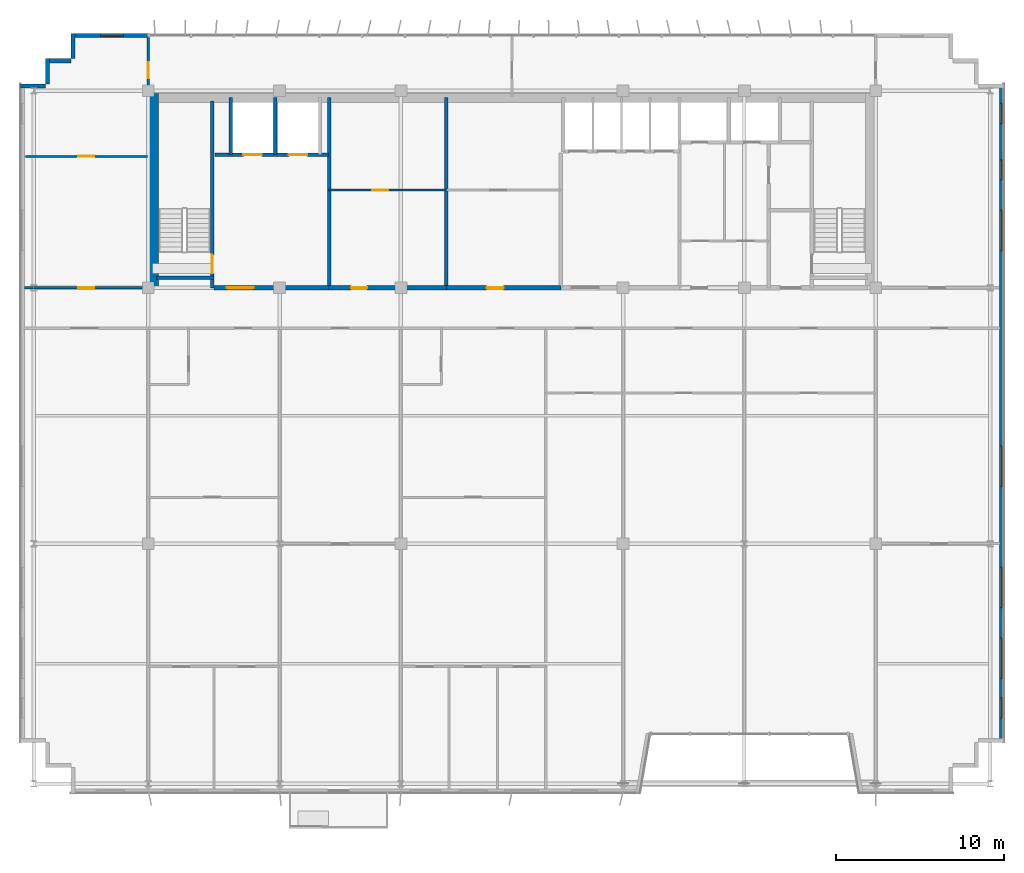
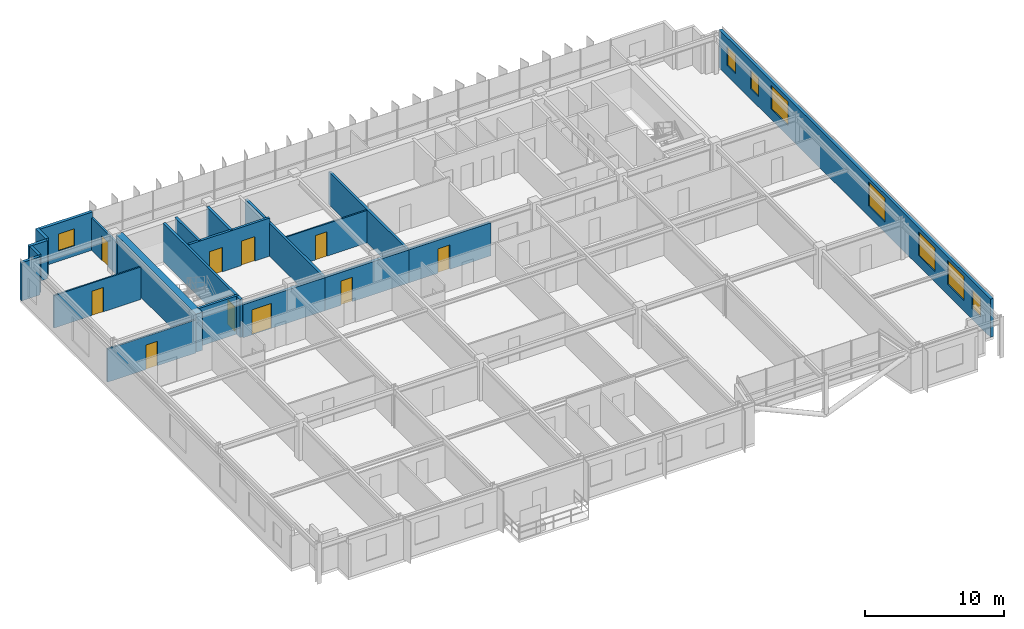
# One storey, part 23 of 27: 21 walls, 10 doors, 8 windows, 18 openings.
"""IFC4 building model written with IfcOpenShell, lengths in metres."""

from ifc_helpers import new_model, si_unit, direction, frame, frame_2d, origin, place, context, subcontext, project, spatial, rectangle, extrude, source, transform, mapped, material, layer, layer_set, type_object, element, fill, save


model = new_model("IFC4")

# Units and contexts
model_context = context("Model", 3, precision=1e-05, world=origin(), true_north=direction((0.0, 1.0)))
body_context = subcontext(model_context, "Body", "Model", "MODEL_VIEW")
ifc_project = project(units=[si_unit("LENGTHUNIT", "METRE"), si_unit("AREAUNIT", "SQUARE_METRE"), si_unit("VOLUMEUNIT", "CUBIC_METRE"), si_unit("PLANEANGLEUNIT", "RADIAN"), si_unit("MASSUNIT", "GRAM", prefix="KILO")], contexts=[model_context])

# Site, building, storey
site_placement = place(None, origin())
site = spatial("IfcSite", under=ifc_project, at=site_placement, CompositionType="ELEMENT")
building_placement = place(site_placement, origin())
building = spatial("IfcBuilding", under=site, at=building_placement, Name="Trelvane Seafront Commons", CompositionType="ELEMENT")
storey_placement = place(building_placement, frame((0.0, 0.0, 233.699951171875)))
storey = spatial("IfcBuildingStorey", under=building, at=storey_placement, Name="L61", CompositionType="ELEMENT", Elevation=233.699951171875)

# Wall, opening, window
ifc_material_1 = material(Name="Precast concrete C40/50", Category="concrete")
ifc_layer_1 = layer(ifc_material_1, 0.239990234375, Name="ARCH-WALL-EXT240")
ifc_layer_set_1 = layer_set([ifc_layer_1], Name="Precast concrete C40/50")
wall_type_1 = type_object("IfcWallType", Name="ARCH-WALL-EXT240", PredefinedType="SOLIDWALL", material=ifc_layer_set_1)
wall_1_placement = place(storey_placement, frame((11.10009765625, 48.3701171875, 0.0), z_axis=(0.0, 0.0, 1.0), x_axis=(1.0, 0.0, 0.0)))
wall_1 = element("IfcWall", 1, at=wall_1_placement, inside=storey, type_object=wall_type_1, Name="EW-L61-NW-1229", PredefinedType="SOLIDWALL", context=body_context, shape_type="SweptSolid", body=[
    extrude(rectangle(XDim=4.5, YDim=0.239990234375, at=frame_2d((2.25, 0.0))), origin(), (0.0, 0.0, 1.0), 3.360107421875),
])
opening_1_placement = place(wall_1_placement, frame((1.6669921875, 0.0, 0.89990234375)))
opening_1 = element("IfcOpeningElement", 2, at=opening_1_placement, cuts=wall_1, Name="Opening W09", PredefinedType="OPENING", context=body_context, shape_type="SweptSolid", body=[
    extrude(rectangle(XDim=1.35009765625, YDim=1.5, at=frame_2d((0.675048828125, 0.75))), frame((0.0, 0.1298828125, 0.0), z_axis=(0.0, -1.0, 0.0), x_axis=(1.0, 0.0, 0.0)), (0.0, 0.0, 1.0), 0.260009765625),
])
ifc_material_2 = material(Name="Low-E coastal double glazing", Category="glass")
window_type_1 = type_object("IfcWindowType", Name="ARCH-WIN-W09", PartitioningType="SINGLE_PANEL", PredefinedType="WINDOW", material=ifc_material_2)
shared_shape_1 = source(origin(), body_context, "Body", "SweptSolid", [
    extrude(rectangle(XDim=1.35009765625, YDim=1.5, at=frame_2d((0.675048828125, 0.75))), frame((0.0, 0.030029296875, 0.0), z_axis=(0.0, -1.0, 0.0), x_axis=(1.0, 0.0, 0.0)), (0.0, 0.0, 1.0), 0.06005859375),
])
window_1_placement = place(opening_1_placement, origin())
window_1 = element("IfcWindow", 3, at=window_1_placement, inside=storey, type_object=window_type_1, Name="WIN-L61-01488", OverallHeight=1.5, OverallWidth=1.35009765625, PartitioningType="SINGLE_PANEL", PredefinedType="WINDOW", context=body_context, shape_type="MappedRepresentation", body=[
    mapped(shared_shape_1, transform((0.0, 0.0, 0.0), x_axis=(1.0, 0.0, 0.0), y_axis=(0.0, 1.0, 0.0), z_axis=(0.0, 0.0, 1.0), scale=1.0)),
])
fill(opening_1, window_1)

# Walls
for number, where, z_axis, x_axis, name in (
    (4, (8.0, 45.3798828125, 0.0), (0.0, 0.0, 1.0), (1.0, 0.0, 0.0), "EW-L61-01235"),
    (5, (9.6201171875, 45.5, 0.0), (0.0, 0.0, 1.0), (0.0, 1.0, 0.0), "EW-L61-01236"),
    (6, (9.5, 46.8798828125, 0.0), (0.0, 0.0, 1.0), (1.0, 0.0, 0.0), "EW-L61-01237"),
    (7, (11.1201171875, 47.0, 0.0), (0.0, 0.0, 1.0), (0.0, 1.0, 0.0), "EW-L61-01238"),
):
    element("IfcWall", number, at=place(storey_placement, frame(where, z_axis=z_axis, x_axis=x_axis)), inside=storey, type_object=wall_type_1, Name=name, PredefinedType="SOLIDWALL", context=body_context, shape_type="SweptSolid", body=[
        extrude(rectangle(XDim=1.5, YDim=0.239990234375, at=frame_2d((0.75, 0.0))), origin(), (0.0, 0.0, 1.0), 3.360107421875),
    ])

# Wall, openings, windows
wall_2_placement = place(storey_placement, frame((66.280029296875, 45.5, 0.0), z_axis=(0.0, 0.0, 1.0), x_axis=(0.0, -1.0, 0.0)))
wall_2 = element("IfcWall", 8, at=wall_2_placement, inside=storey, type_object=wall_type_1, Name="EW-L61-01243", PredefinedType="SOLIDWALL", context=body_context, shape_type="SweptSolid", body=[
    extrude(rectangle(XDim=39.10009765625, YDim=0.239990234375, at=frame_2d((19.550048828125, 0.0))), origin(), (0.0, 0.0, 1.0), 3.360107421875),
])
opening_2_placement = place(wall_2_placement, frame((36.449951171875, 0.0, 0.919921875)))
opening_2 = element("IfcOpeningElement", 9, at=opening_2_placement, cuts=wall_2, Name="Opening W05", PredefinedType="OPENING", context=body_context, shape_type="SweptSolid", body=[
    extrude(rectangle(XDim=1.199951171875, YDim=1.64990234375, at=frame_2d((0.60009765625, 0.824951171875))), frame((0.0, 0.1298828125, 0.0), z_axis=(0.0, -1.0, 0.0), x_axis=(1.0, 0.0, 0.0)), (0.0, 0.0, 1.0), 0.260009765625),
])
opening_3_placement = place(wall_2_placement, frame((32.89990234375, 0.0, 0.919921875)))
opening_3 = element("IfcOpeningElement", 10, at=opening_3_placement, cuts=wall_2, Name="Opening W08", PredefinedType="OPENING", context=body_context, shape_type="SweptSolid", body=[
    extrude(rectangle(XDim=2.39990234375, YDim=2.10009765625, at=frame_2d((1.199951171875, 1.050048828125))), frame((0.0, 0.1298828125, 0.0), z_axis=(0.0, -1.0, 0.0), x_axis=(1.0, 0.0, 0.0)), (0.0, 0.0, 1.0), 0.260009765625),
])
opening_4_placement = place(wall_2_placement, frame((28.699951171875, 0.0, 0.919921875)))
opening_4 = element("IfcOpeningElement", 11, at=opening_4_placement, cuts=wall_2, Name="Opening W08", PredefinedType="OPENING", context=body_context, shape_type="SweptSolid", body=[
    extrude(rectangle(XDim=2.39990234375, YDim=2.10009765625, at=frame_2d((1.199951171875, 1.050048828125))), frame((0.0, 0.1298828125, 0.0), z_axis=(0.0, -1.0, 0.0), x_axis=(1.0, 0.0, 0.0)), (0.0, 0.0, 1.0), 0.260009765625),
])
opening_5_placement = place(wall_2_placement, frame((21.5, 0.0, 0.919921875)))
opening_5 = element("IfcOpeningElement", 12, at=opening_5_placement, cuts=wall_2, Name="Opening W08", PredefinedType="OPENING", context=body_context, shape_type="SweptSolid", body=[
    extrude(rectangle(XDim=2.39990234375, YDim=2.10009765625, at=frame_2d((1.199951171875, 1.050048828125))), frame((0.0, 0.1298828125, 0.0), z_axis=(0.0, -1.0, 0.0), x_axis=(1.0, 0.0, 0.0)), (0.0, 0.0, 1.0), 0.260009765625),
])
opening_6_placement = place(wall_2_placement, frame((7.5, 0.0, 0.919921875)))
opening_6 = element("IfcOpeningElement", 13, at=opening_6_placement, cuts=wall_2, Name="Opening W08", PredefinedType="OPENING", context=body_context, shape_type="SweptSolid", body=[
    extrude(rectangle(XDim=2.39990234375, YDim=2.10009765625, at=frame_2d((1.199951171875, 1.050048828125))), frame((0.0, 0.1298828125, 0.0), z_axis=(0.0, -1.0, 0.0), x_axis=(1.0, 0.0, 0.0)), (0.0, 0.0, 1.0), 0.260009765625),
])
opening_7_placement = place(wall_2_placement, frame((4.5, 0.0, 0.919921875)))
opening_7 = element("IfcOpeningElement", 14, at=opening_7_placement, cuts=wall_2, Name="Opening W05", PredefinedType="OPENING", context=body_context, shape_type="SweptSolid", body=[
    extrude(rectangle(XDim=1.199951171875, YDim=1.64990234375, at=frame_2d((0.60009765625, 0.824951171875))), frame((0.0, 0.1298828125, 0.0), z_axis=(0.0, -1.0, 0.0), x_axis=(1.0, 0.0, 0.0)), (0.0, 0.0, 1.0), 0.260009765625),
])
opening_8_placement = place(wall_2_placement, frame((1.14990234375, 0.0, 0.919921875)))
opening_8 = element("IfcOpeningElement", 15, at=opening_8_placement, cuts=wall_2, Name="Opening W05", PredefinedType="OPENING", context=body_context, shape_type="SweptSolid", body=[
    extrude(rectangle(XDim=1.199951171875, YDim=1.64990234375, at=frame_2d((0.60009765625, 0.824951171875))), frame((0.0, 0.1298828125, 0.0), z_axis=(0.0, -1.0, 0.0), x_axis=(1.0, 0.0, 0.0)), (0.0, 0.0, 1.0), 0.260009765625),
])
window_type_2 = type_object("IfcWindowType", Name="ARCH-WIN-W08", PartitioningType="SINGLE_PANEL", PredefinedType="WINDOW", material=ifc_material_2)
shared_shape_2 = source(origin(), body_context, "Body", "SweptSolid", [
    extrude(rectangle(XDim=2.39990234375, YDim=2.10009765625, at=frame_2d((1.199951171875, 1.050048828125))), frame((0.0, 0.030029296875, 0.0), z_axis=(0.0, -1.0, 0.0), x_axis=(1.0, 0.0, 0.0)), (0.0, 0.0, 1.0), 0.06005859375),
])
window_2_placement = place(opening_3_placement, origin())
window_2 = element("IfcWindow", 16, at=window_2_placement, inside=storey, type_object=window_type_2, Name="WIN-L61-EW-01497", OverallHeight=2.10009765625, OverallWidth=2.39990234375, PartitioningType="SINGLE_PANEL", PredefinedType="WINDOW", context=body_context, shape_type="MappedRepresentation", body=[
    mapped(shared_shape_2, transform((0.0, 0.0, 0.0), x_axis=(1.0, 0.0, 0.0), y_axis=(0.0, 1.0, 0.0), z_axis=(0.0, 0.0, 1.0), scale=1.0)),
])
fill(opening_3, window_2)
window_3_placement = place(opening_4_placement, origin())
window_3 = element("IfcWindow", 17, at=window_3_placement, inside=storey, type_object=window_type_2, Name="WIN-L61-EW-01498", OverallHeight=2.10009765625, OverallWidth=2.39990234375, PartitioningType="SINGLE_PANEL", PredefinedType="WINDOW", context=body_context, shape_type="MappedRepresentation", body=[
    mapped(shared_shape_2, transform((0.0, 0.0, 0.0), x_axis=(1.0, 0.0, 0.0), y_axis=(0.0, 1.0, 0.0), z_axis=(0.0, 0.0, 1.0), scale=1.0)),
])
fill(opening_4, window_3)
window_4_placement = place(opening_5_placement, origin())
window_4 = element("IfcWindow", 18, at=window_4_placement, inside=storey, type_object=window_type_2, Name="WIN-L61-EW-01499", OverallHeight=2.10009765625, OverallWidth=2.39990234375, PartitioningType="SINGLE_PANEL", PredefinedType="WINDOW", context=body_context, shape_type="MappedRepresentation", body=[
    mapped(shared_shape_2, transform((0.0, 0.0, 0.0), x_axis=(1.0, 0.0, 0.0), y_axis=(0.0, 1.0, 0.0), z_axis=(0.0, 0.0, 1.0), scale=1.0)),
])
fill(opening_5, window_4)
window_5_placement = place(opening_6_placement, origin())
window_5 = element("IfcWindow", 19, at=window_5_placement, inside=storey, type_object=window_type_2, Name="WIN-L61-EW-01500", OverallHeight=2.10009765625, OverallWidth=2.39990234375, PartitioningType="SINGLE_PANEL", PredefinedType="WINDOW", context=body_context, shape_type="MappedRepresentation", body=[
    mapped(shared_shape_2, transform((0.0, 0.0, 0.0), x_axis=(1.0, 0.0, 0.0), y_axis=(0.0, 1.0, 0.0), z_axis=(0.0, 0.0, 1.0), scale=1.0)),
])
fill(opening_6, window_5)
window_type_3 = type_object("IfcWindowType", Name="ARCH-WIN-W05", PartitioningType="SINGLE_PANEL", PredefinedType="WINDOW", material=ifc_material_2)
shared_shape_3 = source(origin(), body_context, "Body", "SweptSolid", [
    extrude(rectangle(XDim=1.199951171875, YDim=1.64990234375, at=frame_2d((0.60009765625, 0.824951171875))), frame((0.0, 0.030029296875, 0.0), z_axis=(0.0, -1.0, 0.0), x_axis=(1.0, 0.0, 0.0)), (0.0, 0.0, 1.0), 0.06005859375),
])
window_6_placement = place(opening_2_placement, origin())
window_6 = element("IfcWindow", 20, at=window_6_placement, inside=storey, type_object=window_type_3, Name="WIN-L61-EW-01496", OverallHeight=1.64990234375, OverallWidth=1.199951171875, PartitioningType="SINGLE_PANEL", PredefinedType="WINDOW", context=body_context, shape_type="MappedRepresentation", body=[
    mapped(shared_shape_3, transform((0.0, 0.0, 0.0), x_axis=(1.0, 0.0, 0.0), y_axis=(0.0, 1.0, 0.0), z_axis=(0.0, 0.0, 1.0), scale=1.0)),
])
fill(opening_2, window_6)
window_7_placement = place(opening_7_placement, origin())
window_7 = element("IfcWindow", 21, at=window_7_placement, inside=storey, type_object=window_type_3, Name="WIN-L61-EW-01501", OverallHeight=1.64990234375, OverallWidth=1.199951171875, PartitioningType="SINGLE_PANEL", PredefinedType="WINDOW", context=body_context, shape_type="MappedRepresentation", body=[
    mapped(shared_shape_3, transform((0.0, 0.0, 0.0), x_axis=(1.0, 0.0, 0.0), y_axis=(0.0, 1.0, 0.0), z_axis=(0.0, 0.0, 1.0), scale=1.0)),
])
fill(opening_7, window_7)
window_8_placement = place(opening_8_placement, origin())
window_8 = element("IfcWindow", 22, at=window_8_placement, inside=storey, type_object=window_type_3, Name="WIN-L61-EW-01502", OverallHeight=1.64990234375, OverallWidth=1.199951171875, PartitioningType="SINGLE_PANEL", PredefinedType="WINDOW", context=body_context, shape_type="MappedRepresentation", body=[
    mapped(shared_shape_3, transform((0.0, 0.0, 0.0), x_axis=(1.0, 0.0, 0.0), y_axis=(0.0, 1.0, 0.0), z_axis=(0.0, 0.0, 1.0), scale=1.0)),
])
fill(opening_8, window_8)

# Wall, opening, door
ifc_material_3 = material(Name="Concrete C40/50", Category="concrete")
ifc_layer_2 = layer(ifc_material_3, 0.25, Name="ARCH-WALL-FIRE250")
ifc_layer_set_2 = layer_set([ifc_layer_2], Name="Concrete C40/50")
wall_type_2 = type_object("IfcWallType", Name="ARCH-WALL-FIRE250", PredefinedType="PARTITIONING", material=ifc_layer_set_2)
wall_3_placement = place(storey_placement, frame((19.5, 33.39990234375, 0.0), z_axis=(0.0, 0.0, 1.0), x_axis=(1.0, 0.0, 0.0)))
wall_3 = element("IfcWall", 23, at=wall_3_placement, inside=storey, type_object=wall_type_2, Name="W-L61-CS-FFL-013", PredefinedType="PARTITIONING", context=body_context, shape_type="SweptSolid", body=[
    extrude(rectangle(XDim=6.800048828125, YDim=0.25, at=frame_2d((3.39990234375, 0.0))), origin(), (0.0, 0.0, 1.0), 2.91015625),
])
opening_9_placement = place(wall_3_placement, frame((0.75, 0.0, 0.0)))
opening_9 = element("IfcOpeningElement", 24, at=opening_9_placement, cuts=wall_3, Name="Opening FD-L61-05", PredefinedType="OPENING", context=body_context, shape_type="SweptSolid", body=[
    extrude(rectangle(XDim=1.60009765625, YDim=2.199951171875, at=frame_2d((0.800048828125, 1.10009765625))), frame((0.0, 0.135009765625, 0.0), z_axis=(0.0, -1.0, 0.0), x_axis=(1.0, 0.0, 0.0)), (0.0, 0.0, 1.0), 0.27001953125),
])
ifc_material_4 = material(Name="Powder-coated aluminium frame", Category="aluminium")
door_type_1 = type_object("IfcDoorType", Name="ARCH-DR-FD60-1600", OperationType="DOUBLE_DOOR_SINGLE_SWING", PredefinedType="DOOR", material=ifc_material_4)
shared_shape_4 = source(origin(), body_context, "Body", "SweptSolid", [
    extrude(rectangle(XDim=1.60009765625, YDim=2.199951171875, at=frame_2d((0.800048828125, 1.10009765625))), frame((0.0, 0.02490234375, 0.0), z_axis=(0.0, -1.0, 0.0), x_axis=(1.0, 0.0, 0.0)), (0.0, 0.0, 1.0), 0.050048828125),
])
door_1_placement = place(opening_9_placement, origin())
door_1 = element("IfcDoor", 25, at=door_1_placement, inside=storey, type_object=door_type_1, Name="L61 Firefighting Lift Lobby Double Fire Door", OperationType="DOUBLE_DOOR_SINGLE_SWING", OverallHeight=2.199951171875, OverallWidth=1.60009765625, PredefinedType="DOOR", context=body_context, shape_type="MappedRepresentation", body=[
    mapped(shared_shape_4, transform((0.0, 0.0, 0.0), x_axis=(1.0, 0.0, 0.0), y_axis=(0.0, 1.0, 0.0), z_axis=(0.0, 0.0, 1.0), scale=1.0)),
])
fill(opening_9, door_1)

wall_4_placement = place(storey_placement, frame((26.300048828125, 33.39990234375, 0.0), z_axis=(0.0, 0.0, 1.0), x_axis=(1.0, 0.0, 0.0)))
wall_4 = element("IfcWall", 26, at=wall_4_placement, inside=storey, type_object=wall_type_2, Name="W-L61-CS-FPL-024", PredefinedType="PARTITIONING", context=body_context, shape_type="SweptSolid", body=[
    extrude(rectangle(XDim=7.0, YDim=0.25, at=frame_2d((3.5, 0.0))), origin(), (0.0, 0.0, 1.0), 2.91015625),
])
opening_10_placement = place(wall_4_placement, frame((1.35009765625, 0.0, 0.0)))
opening_10 = element("IfcOpeningElement", 27, at=opening_10_placement, cuts=wall_4, Name="Opening D-L61-12", PredefinedType="OPENING", context=body_context, shape_type="SweptSolid", body=[
    extrude(rectangle(XDim=0.949951171875, YDim=2.14990234375, at=frame_2d((0.47509765625, 1.074951171875))), frame((0.0, 0.135009765625, 0.0), z_axis=(0.0, -1.0, 0.0), x_axis=(1.0, 0.0, 0.0)), (0.0, 0.0, 1.0), 0.27001953125),
])
ifc_material_5 = material(Name="Acoustic timber door leaf", Category="wood")
door_type_2 = type_object("IfcDoorType", Name="ARCH-DR-INT950", OperationType="NOTDEFINED", PredefinedType="DOOR", material=ifc_material_5)
shared_shape_5 = source(origin(), body_context, "Body", "SweptSolid", [
    extrude(rectangle(XDim=0.949951171875, YDim=2.14990234375, at=frame_2d((0.47509765625, 1.074951171875))), frame((0.0, 0.02490234375, 0.0), z_axis=(0.0, -1.0, 0.0), x_axis=(1.0, 0.0, 0.0)), (0.0, 0.0, 1.0), 0.050048828125),
])
door_2_placement = place(opening_10_placement, origin())
door_2 = element("IfcDoor", 28, at=door_2_placement, inside=storey, type_object=door_type_2, Name="L61 Floor Pantry Entrance Door", OperationType="SINGLE_SWING_RIGHT", OverallHeight=2.14990234375, OverallWidth=0.949951171875, PredefinedType="DOOR", context=body_context, shape_type="MappedRepresentation", body=[
    mapped(shared_shape_5, transform((0.0, 0.0, 0.0), x_axis=(1.0, 0.0, 0.0), y_axis=(0.0, 1.0, 0.0), z_axis=(0.0, 0.0, 1.0), scale=1.0)),
])
fill(opening_10, door_2)

wall_5_placement = place(storey_placement, frame((33.300048828125, 33.39990234375, 0.0), z_axis=(0.0, 0.0, 1.0), x_axis=(1.0, 0.0, 0.0)))
wall_5 = element("IfcWall", 29, at=wall_5_placement, inside=storey, type_object=wall_type_2, Name="W-L61-CS-FPM-025", PredefinedType="PARTITIONING", context=body_context, shape_type="SweptSolid", body=[
    extrude(rectangle(XDim=6.800048828125, YDim=0.25, at=frame_2d((3.39990234375, 0.0))), origin(), (0.0, 0.0, 1.0), 2.91015625),
])
opening_11_placement = place(wall_5_placement, frame((2.39990234375, 0.0, 0.0)))
opening_11 = element("IfcOpeningElement", 30, at=opening_11_placement, cuts=wall_5, Name="Opening FD-L61-13", PredefinedType="OPENING", context=body_context, shape_type="SweptSolid", body=[
    extrude(rectangle(XDim=1.0, YDim=2.14990234375, at=frame_2d((0.5, 1.074951171875))), frame((0.0, 0.135009765625, 0.0), z_axis=(0.0, -1.0, 0.0), x_axis=(1.0, 0.0, 0.0)), (0.0, 0.0, 1.0), 0.27001953125),
])
door_type_3 = type_object("IfcDoorType", Name="ARCH-DR-FD60-1000", OperationType="NOTDEFINED", PredefinedType="DOOR", material=ifc_material_4)
shared_shape_6 = source(origin(), body_context, "Body", "SweptSolid", [
    extrude(rectangle(XDim=1.0, YDim=2.14990234375, at=frame_2d((0.5, 1.074951171875))), frame((0.0, 0.02490234375, 0.0), z_axis=(0.0, -1.0, 0.0), x_axis=(1.0, 0.0, 0.0)), (0.0, 0.0, 1.0), 0.050048828125),
])
door_3_placement = place(opening_11_placement, origin())
door_3 = element("IfcDoor", 31, at=door_3_placement, inside=storey, type_object=door_type_3, Name="L61 Trunk Storage Door", OperationType="SINGLE_SWING_LEFT", OverallHeight=2.14990234375, OverallWidth=1.0, PredefinedType="DOOR", context=body_context, shape_type="MappedRepresentation", body=[
    mapped(shared_shape_6, transform((0.0, 0.0, 0.0), x_axis=(1.0, 0.0, 0.0), y_axis=(0.0, 1.0, 0.0), z_axis=(0.0, 0.0, 1.0), scale=1.0)),
])
fill(opening_11, door_3)

ifc_material_6 = material(Name="Gypsum Drywall Acoustic Partition")
ifc_layer_3 = layer(ifc_material_6, 0.1201171875, Name="ARCH-WALL-PART120")
ifc_layer_set_3 = layer_set([ifc_layer_3], Name="Gypsum Drywall Acoustic Partition")
wall_type_3 = type_object("IfcWallType", Name="ARCH-WALL-PART120", PredefinedType="PARTITIONING", material=ifc_layer_set_3)
wall_6_placement = place(storey_placement, frame((26.300048828125, 39.199951171875, 0.0), z_axis=(0.0, 0.0, 1.0), x_axis=(1.0, 0.0, 0.0)))
wall_6 = element("IfcWall", 32, at=wall_6_placement, inside=storey, type_object=wall_type_3, Name="W-L61-FREED-PL-MID-014", PredefinedType="PARTITIONING", context=body_context, shape_type="SweptSolid", body=[
    extrude(rectangle(XDim=7.0, YDim=0.1201171875, at=frame_2d((3.5, 0.0))), origin(), (0.0, 0.0, 1.0), 2.860107421875),
])
opening_12_placement = place(wall_6_placement, frame((2.60009765625, 0.0, 0.0)))
opening_12 = element("IfcOpeningElement", 33, at=opening_12_placement, cuts=wall_6, Name="Opening D-L61-06", PredefinedType="OPENING", context=body_context, shape_type="SweptSolid", body=[
    extrude(rectangle(XDim=0.949951171875, YDim=2.14990234375, at=frame_2d((0.47509765625, 1.074951171875))), frame((0.0, 0.070068359375, 0.0), z_axis=(0.0, -1.0, 0.0), x_axis=(1.0, 0.0, 0.0)), (0.0, 0.0, 1.0), 0.14013671875),
])
door_4_placement = place(opening_12_placement, origin())
door_4 = element("IfcDoor", 34, at=door_4_placement, inside=storey, type_object=door_type_2, Name="L61 Housekeeping Store Door", OperationType="SINGLE_SWING_RIGHT", OverallHeight=2.14990234375, OverallWidth=0.949951171875, PredefinedType="DOOR", context=body_context, shape_type="MappedRepresentation", body=[
    mapped(shared_shape_5, transform((0.0, 0.0, 0.0), x_axis=(1.0, 0.0, 0.0), y_axis=(0.0, 1.0, 0.0), z_axis=(0.0, 0.0, 1.0), scale=1.0)),
])
fill(opening_12, door_4)

wall_7_placement = place(storey_placement, frame((8.300048828125, 41.199951171875, 0.0), z_axis=(0.0, 0.0, 1.0), x_axis=(1.0, 0.0, 0.0)))
wall_7 = element("IfcWall", 35, at=wall_7_placement, inside=storey, type_object=wall_type_3, Name="W-L61-NW-LGDV-035", PredefinedType="PARTITIONING", context=body_context, shape_type="SweptSolid", body=[
    extrude(rectangle(XDim=7.25, YDim=0.1201171875, at=frame_2d((3.625, 0.0))), origin(), (0.0, 0.0, 1.0), 2.860107421875),
])
opening_13_placement = place(wall_7_placement, frame((3.14990234375, 0.0, 0.0)))
opening_13 = element("IfcOpeningElement", 36, at=opening_13_placement, cuts=wall_7, Name="Opening D-L61-22", PredefinedType="OPENING", context=body_context, shape_type="SweptSolid", body=[
    extrude(rectangle(XDim=0.949951171875, YDim=2.14990234375, at=frame_2d((0.47509765625, 1.074951171875))), frame((0.0, 0.070068359375, 0.0), z_axis=(0.0, -1.0, 0.0), x_axis=(1.0, 0.0, 0.0)), (0.0, 0.0, 1.0), 0.14013671875),
])
door_5_placement = place(opening_13_placement, origin())
door_5 = element("IfcDoor", 37, at=door_5_placement, inside=storey, type_object=door_type_2, Name="L61 Door 22", OperationType="SINGLE_SWING_RIGHT", OverallHeight=2.14990234375, OverallWidth=0.949951171875, PredefinedType="DOOR", context=body_context, shape_type="MappedRepresentation", body=[
    mapped(shared_shape_5, transform((0.0, 0.0, 0.0), x_axis=(1.0, 0.0, 0.0), y_axis=(0.0, 1.0, 0.0), z_axis=(0.0, 0.0, 1.0), scale=1.0)),
])
fill(opening_13, door_5)

ifc_layer_4 = layer(ifc_material_6, 0.14990234375, Name="ARCH-WALL-PART150")
ifc_layer_set_4 = layer_set([ifc_layer_4], Name="Gypsum Drywall Acoustic Partition")
wall_type_4 = type_object("IfcWallType", Name="ARCH-WALL-PART150", PredefinedType="PARTITIONING", material=ifc_layer_set_4)
wall_8_placement = place(storey_placement, frame((8.25, 33.39990234375, 0.0), z_axis=(0.0, 0.0, 1.0), x_axis=(1.0, 0.0, 0.0)))
wall_8 = element("IfcWall", 38, at=wall_8_placement, inside=storey, type_object=wall_type_4, Name="W-L61-NW-ENT-036", PredefinedType="PARTITIONING", context=body_context, shape_type="SweptSolid", body=[
    extrude(rectangle(XDim=7.35009765625, YDim=0.14990234375, at=frame_2d((3.675048828125, 0.0))), origin(), (0.0, 0.0, 1.0), 2.91015625),
])
opening_14_placement = place(wall_8_placement, frame((3.19189453125, 0.0, 0.0)))
opening_14 = element("IfcOpeningElement", 39, at=opening_14_placement, cuts=wall_8, Name="Opening FD-L61-23", PredefinedType="OPENING", context=body_context, shape_type="SweptSolid", body=[
    extrude(rectangle(XDim=0.949951171875, YDim=2.14990234375, at=frame_2d((0.47509765625, 1.074951171875))), frame((0.0, 0.0849609375, 0.0), z_axis=(0.0, -1.0, 0.0), x_axis=(1.0, 0.0, 0.0)), (0.0, 0.0, 1.0), 0.169921875),
])
door_type_4 = type_object("IfcDoorType", Name="ARCH-DR-FD60-950", OperationType="NOTDEFINED", PredefinedType="DOOR", material=ifc_material_4)
door_6_placement = place(opening_14_placement, origin())
door_6 = element("IfcDoor", 40, at=door_6_placement, inside=storey, type_object=door_type_4, Name="L61 NW Suite Entrance Door", OperationType="SINGLE_SWING_LEFT", OverallHeight=2.14990234375, OverallWidth=0.949951171875, PredefinedType="DOOR", context=body_context, shape_type="MappedRepresentation", body=[
    mapped(shared_shape_5, transform((0.0, 0.0, 0.0), x_axis=(1.0, 0.0, 0.0), y_axis=(0.0, 1.0, 0.0), z_axis=(0.0, 0.0, 1.0), scale=1.0)),
])
fill(opening_14, door_6)

wall_9_placement = place(storey_placement, frame((15.60009765625, 44.75, 0.0), z_axis=(0.0, 0.0, 1.0), x_axis=(0.0, 1.0, 0.0)))
wall_9 = element("IfcWall", 41, at=wall_9_placement, inside=storey, type_object=wall_type_4, Name="W-L61-N-LINK-W-039", PredefinedType="PARTITIONING", context=body_context, shape_type="SweptSolid", body=[
    extrude(rectangle(XDim=3.610107421875, YDim=0.14990234375, at=frame_2d((1.80517578125, 0.0))), origin(), (0.0, 0.0, 1.0), 2.860107421875),
])
opening_15_placement = place(wall_9_placement, frame((1.10009765625, 0.0, 0.0)))
opening_15 = element("IfcOpeningElement", 42, at=opening_15_placement, cuts=wall_9, Name="Opening FD-L61-26", PredefinedType="OPENING", context=body_context, shape_type="SweptSolid", body=[
    extrude(rectangle(XDim=0.949951171875, YDim=2.14990234375, at=frame_2d((0.47509765625, 1.074951171875))), frame((0.0, 0.0849609375, 0.0), z_axis=(0.0, -1.0, 0.0), x_axis=(1.0, 0.0, 0.0)), (0.0, 0.0, 1.0), 0.169921875),
])
door_7_placement = place(opening_15_placement, origin())
door_7 = element("IfcDoor", 43, at=door_7_placement, inside=storey, type_object=door_type_4, Name="L61 Door 26", OperationType="SINGLE_SWING_RIGHT", OverallHeight=2.14990234375, OverallWidth=0.949951171875, PredefinedType="DOOR", context=body_context, shape_type="MappedRepresentation", body=[
    mapped(shared_shape_5, transform((0.0, 0.0, 0.0), x_axis=(1.0, 0.0, 0.0), y_axis=(0.0, 1.0, 0.0), z_axis=(0.0, 0.0, 1.0), scale=1.0)),
])
fill(opening_15, door_7)

# Wall, openings, doors
ifc_layer_5 = layer(ifc_material_3, 0.199951171875, Name="ARCH-WALL-SHAFT200")
ifc_layer_set_5 = layer_set([ifc_layer_5], Name="Concrete C40/50")
wall_type_5 = type_object("IfcWallType", Name="ARCH-WALL-SHAFT200", PredefinedType="SOLIDWALL", material=ifc_layer_set_5)
wall_10_placement = place(storey_placement, frame((19.550048828125, 41.300048828125, 0.0), z_axis=(0.0, 0.0, 1.0), x_axis=(1.0, 0.0, 0.0)))
wall_10 = element("IfcWall", 44, at=wall_10_placement, inside=storey, type_object=wall_type_5, Name="W-L61-FFL-FRONT-008", PredefinedType="SOLIDWALL", context=body_context, shape_type="SweptSolid", body=[
    extrude(rectangle(XDim=6.75, YDim=0.199951171875, at=frame_2d((3.375, 0.0))), origin(), (0.0, 0.0, 1.0), 3.360107421875),
])
opening_16_placement = place(wall_10_placement, frame((1.699951171875, 0.0, 0.0)))
opening_16 = element("IfcOpeningElement", 45, at=opening_16_placement, cuts=wall_10, Name="Opening LD-FF1-L61", PredefinedType="OPENING", context=body_context, shape_type="SweptSolid", body=[
    extrude(rectangle(XDim=1.10009765625, YDim=2.14990234375, at=frame_2d((0.550048828125, 1.074951171875))), frame((0.0, 0.10986328125, 0.0), z_axis=(0.0, -1.0, 0.0), x_axis=(1.0, 0.0, 0.0)), (0.0, 0.0, 1.0), 0.219970703125),
])
opening_17_placement = place(wall_10_placement, frame((4.39990234375, 0.0, 0.0)))
opening_17 = element("IfcOpeningElement", 46, at=opening_17_placement, cuts=wall_10, Name="Opening LD-FF2-L61", PredefinedType="OPENING", context=body_context, shape_type="SweptSolid", body=[
    extrude(rectangle(XDim=1.10009765625, YDim=2.14990234375, at=frame_2d((0.550048828125, 1.074951171875))), frame((0.0, 0.10986328125, 0.0), z_axis=(0.0, -1.0, 0.0), x_axis=(1.0, 0.0, 0.0)), (0.0, 0.0, 1.0), 0.219970703125),
])
ifc_material_7 = material(Name="Stainless steel balustrade", Category="steel")
door_type_5 = type_object("IfcDoorType", Name="ARCH-DR-LD1100", OperationType="DOUBLE_DOOR_SLIDING", PredefinedType="DOOR", material=ifc_material_7)
shared_shape_7 = source(origin(), body_context, "Body", "SweptSolid", [
    extrude(rectangle(XDim=1.10009765625, YDim=2.14990234375, at=frame_2d((0.550048828125, 1.074951171875))), frame((0.0, 0.02490234375, 0.0), z_axis=(0.0, -1.0, 0.0), x_axis=(1.0, 0.0, 0.0)), (0.0, 0.0, 1.0), 0.050048828125),
])
door_8_placement = place(opening_16_placement, origin())
door_8 = element("IfcDoor", 47, at=door_8_placement, inside=storey, type_object=door_type_5, Name="L61 Firefighting Lift FFL-1 Landing Door", OperationType="DOUBLE_DOOR_SLIDING", OverallHeight=2.14990234375, OverallWidth=1.10009765625, PredefinedType="DOOR", context=body_context, shape_type="MappedRepresentation", body=[
    mapped(shared_shape_7, transform((0.0, 0.0, 0.0), x_axis=(1.0, 0.0, 0.0), y_axis=(0.0, 1.0, 0.0), z_axis=(0.0, 0.0, 1.0), scale=1.0)),
])
fill(opening_16, door_8)
door_9_placement = place(opening_17_placement, origin())
door_9 = element("IfcDoor", 48, at=door_9_placement, inside=storey, type_object=door_type_5, Name="L61 Firefighting Lift FFL-2 Landing Door", OperationType="DOUBLE_DOOR_SLIDING", OverallHeight=2.14990234375, OverallWidth=1.10009765625, PredefinedType="DOOR", context=body_context, shape_type="MappedRepresentation", body=[
    mapped(shared_shape_7, transform((0.0, 0.0, 0.0), x_axis=(1.0, 0.0, 0.0), y_axis=(0.0, 1.0, 0.0), z_axis=(0.0, 0.0, 1.0), scale=1.0)),
])
fill(opening_17, door_9)

# Walls
for number, where, z_axis, x_axis, name in (
    (49, (20.5, 41.300048828125, 0.0), (0.0, 0.0, 1.0), (0.0, 1.0, 0.0), "W-L61-FFL-SH-W-009"),
    (50, (23.14990234375, 41.300048828125, 0.0), (0.0, 0.0, 1.0), (0.0, 1.0, 0.0), "W-L61-FFL-DIV-010"),
):
    element("IfcWall", number, at=place(storey_placement, frame(where, z_axis=z_axis, x_axis=x_axis)), inside=storey, type_object=wall_type_5, Name=name, PredefinedType="SOLIDWALL", context=body_context, shape_type="SweptSolid", body=[
        extrude(rectangle(XDim=3.39990234375, YDim=0.199951171875, at=frame_2d((1.699951171875, 0.0))), origin(), (0.0, 0.0, 1.0), 3.360107421875),
    ])
for number, where, z_axis, x_axis, name in (
    (51, (26.35009765625, 33.39990234375, 0.0), (0.0, 0.0, 1.0), (0.0, 1.0, 0.0), "W-L61-FFL-EAST-012"),
    (52, (33.300048828125, 33.39990234375, 0.0), (0.0, 0.0, 1.0), (0.0, 1.0, 0.0), "W-L61-FREED-PL-E-015"),
):
    element("IfcWall", number, at=place(storey_placement, frame(where, z_axis=z_axis, x_axis=x_axis)), inside=storey, type_object=wall_type_5, Name=name, PredefinedType="SOLIDWALL", context=body_context, shape_type="SweptSolid", body=[
        extrude(rectangle(XDim=11.300048828125, YDim=0.199951171875, at=frame_2d((5.64990234375, 0.0))), origin(), (0.0, 0.0, 1.0), 2.91015625),
    ])
ifc_material_8 = material(Name="Concrete C50/60", Category="concrete")
ifc_layer_6 = layer(ifc_material_8, 0.550048828125, Name="STR-WALL-CORE550")
ifc_layer_set_6 = layer_set([ifc_layer_6], Name="Concrete C50/60")
wall_type_6 = type_object("IfcWallType", Name="STR-WALL-CORE550", PredefinedType="SHEAR", material=ifc_layer_set_6)
wall_11_placement = place(storey_placement, frame((15.925048828125, 33.39990234375, 0.0), z_axis=(0.0, 0.0, 1.0), x_axis=(0.0, 1.0, 0.0)))
element("IfcWall", 53, at=wall_11_placement, inside=storey, type_object=wall_type_6, Name="W-L61-CW-END-002", PredefinedType="SHEAR", context=body_context, shape_type="SweptSolid", body=[
    extrude(rectangle(XDim=11.550048828125, YDim=0.550048828125, at=frame_2d((5.77490234375, 0.0))), origin(), (0.0, 0.0, 1.0), 3.360107421875),
])
ifc_layer_7 = layer(ifc_material_8, 0.199951171875, Name="STR-WALL-STAIR200")
ifc_layer_set_7 = layer_set([ifc_layer_7], Name="Concrete C50/60")
wall_type_7 = type_object("IfcWallType", Name="STR-WALL-STAIR200", PredefinedType="SHEAR", material=ifc_layer_set_7)
wall_12_placement = place(storey_placement, frame((16.10009765625, 34.0, 0.0), z_axis=(0.0, 0.0, 1.0), x_axis=(1.0, 0.0, 0.0)))
element("IfcWall", 54, at=wall_12_placement, inside=storey, type_object=wall_type_7, Name="W-L61-ST1-S-004", PredefinedType="SHEAR", context=body_context, shape_type="SweptSolid", body=[
    extrude(rectangle(XDim=3.39990234375, YDim=0.199951171875, at=frame_2d((1.699951171875, 0.0))), origin(), (0.0, 0.0, 1.0), 3.360107421875),
])

# Wall, opening, door
wall_13_placement = place(storey_placement, frame((19.39990234375, 33.39990234375, 0.0), z_axis=(0.0, 0.0, 1.0), x_axis=(0.0, 1.0, 0.0)))
wall_13 = element("IfcWall", 55, at=wall_13_placement, inside=storey, type_object=wall_type_7, Name="W-L61-ST1-E-005", PredefinedType="SHEAR", context=body_context, shape_type="SweptSolid", body=[
    extrude(rectangle(XDim=11.10009765625, YDim=0.199951171875, at=frame_2d((5.550048828125, 0.0))), origin(), (0.0, 0.0, 1.0), 3.360107421875),
])
opening_18_placement = place(wall_13_placement, frame((0.85009765625, 0.0, 0.0)))
opening_18 = element("IfcOpeningElement", 56, at=opening_18_placement, cuts=wall_13, Name="Opening ST-D1-L61", PredefinedType="OPENING", context=body_context, shape_type="SweptSolid", body=[
    extrude(rectangle(XDim=1.10009765625, YDim=2.14990234375, at=frame_2d((0.550048828125, 1.074951171875))), frame((0.0, 0.10986328125, 0.0), z_axis=(0.0, -1.0, 0.0), x_axis=(1.0, 0.0, 0.0)), (0.0, 0.0, 1.0), 0.219970703125),
])
door_type_6 = type_object("IfcDoorType", Name="ARCH-DR-FD90-1100", OperationType="NOTDEFINED", PredefinedType="DOOR", material=ifc_material_4)
door_10_placement = place(opening_18_placement, origin())
door_10 = element("IfcDoor", 57, at=door_10_placement, inside=storey, type_object=door_type_6, Name="L61 Stair ST-1 Lobby Fire Door", OperationType="SINGLE_SWING_LEFT", OverallHeight=2.14990234375, OverallWidth=1.10009765625, PredefinedType="DOOR", context=body_context, shape_type="MappedRepresentation", body=[
    mapped(shared_shape_7, transform((0.0, 0.0, 0.0), x_axis=(1.0, 0.0, 0.0), y_axis=(0.0, 1.0, 0.0), z_axis=(0.0, 0.0, 1.0), scale=1.0)),
])
fill(opening_18, door_10)

save(model, "model.ifc")
